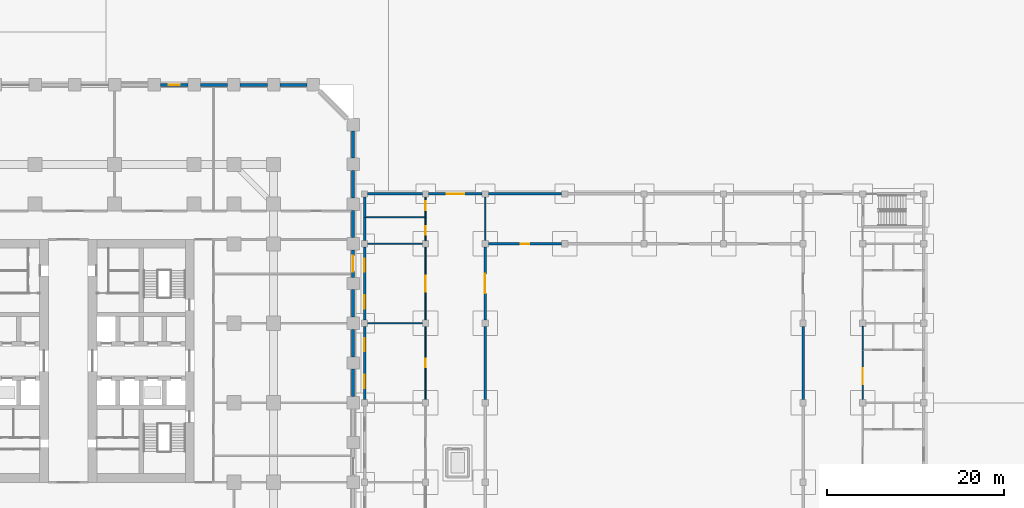
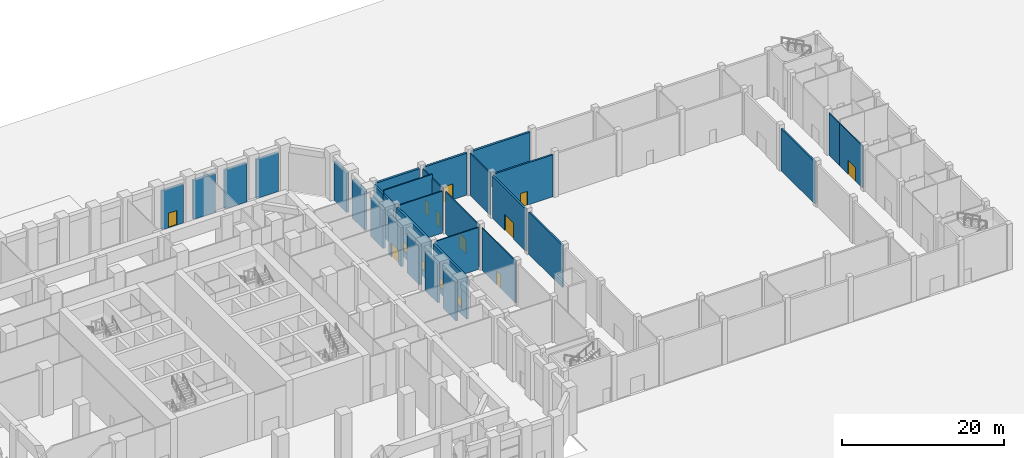
# One storey, part 16 of 30: 32 walls, 10 doors, 4 windows, 14 openings.
"""IFC4 building model written with IfcOpenShell, lengths in metres."""

from ifc_helpers import new_model, si_unit, direction, frame, frame_2d, origin, place, context, subcontext, project, spatial, rectangle, extrude, material, layer, layer_set, type_object, element, fill, save


model = new_model("IFC4")

# Units and contexts
model_context = context("Model", 3, precision=1e-05, world=origin(), true_north=direction((0.0, 1.0)))
body_context = subcontext(model_context, "Body", "Model", "MODEL_VIEW")
ifc_project = project(units=[si_unit("LENGTHUNIT", "METRE"), si_unit("AREAUNIT", "SQUARE_METRE"), si_unit("VOLUMEUNIT", "CUBIC_METRE"), si_unit("PLANEANGLEUNIT", "RADIAN"), si_unit("MASSUNIT", "GRAM", prefix="KILO")], contexts=[model_context])

# Site, building, storey
site_placement = place(None, origin())
site = spatial("IfcSite", under=ifc_project, at=site_placement, CompositionType="ELEMENT")
building_placement = place(site_placement, origin())
building = spatial("IfcBuilding", under=site, at=building_placement, Name="Corbel Stack Research Tower", CompositionType="ELEMENT")
storey_placement = place(building_placement, origin())
storey = spatial("IfcBuildingStorey", under=building, at=storey_placement, Name="L00", CompositionType="ELEMENT", Elevation=0.0)

# Walls
ifc_material_1 = material(Name="Concrete C45/55", Category="concrete")
ifc_layer_1 = layer(ifc_material_1, 0.35009765625)
ifc_layer_set_1 = layer_set([ifc_layer_1], Name="Concrete C45/55")
wall_type_1 = type_object("IfcWallType", Name="Board-marked concrete wall 350", PredefinedType="SOLIDWALL", material=ifc_layer_set_1)
for number, where, z_axis, x_axis, name in (
    (1, (36.0, 3.800048828125, 0.0), (0.0, 0.0, 1.0), (0.0, -1.0, 0.0), "Facade wall L00 E07"),
    (2, (36.0, 8.300048828125, 0.0), (0.0, 0.0, 1.0), (0.0, -1.0, 0.0), "Facade wall L00 E08"),
    (3, (36.0, 12.800048828125, 0.0), (0.0, 0.0, 1.0), (0.0, -1.0, 0.0), "Facade wall L00 E09"),
):
    element("IfcWall", number, at=place(storey_placement, frame(where, z_axis=z_axis, x_axis=x_axis)), inside=storey, type_object=wall_type_1, Name=name, PredefinedType="SOLIDWALL", context=body_context, shape_type="SweptSolid", body=[
        extrude(rectangle(XDim=3.10009765625, YDim=0.35009765625, at=frame_2d((1.550048828125, 0.0))), origin(), (0.0, 0.0, 1.0), 5.85009765625),
    ])

# Wall, opening, door
wall_1_placement = place(storey_placement, frame((36.0, 17.300048828125, 0.0), z_axis=(0.0, 0.0, 1.0), x_axis=(0.0, -1.0, 0.0)))
wall_1 = element("IfcWall", 4, at=wall_1_placement, inside=storey, type_object=wall_type_1, Name="Facade wall L00 E10", PredefinedType="SOLIDWALL", context=body_context, shape_type="SweptSolid", body=[
    extrude(rectangle(XDim=3.10009765625, YDim=0.35009765625, at=frame_2d((1.550048828125, 0.0))), origin(), (0.0, 0.0, 1.0), 5.85009765625),
])
opening_1_placement = place(wall_1_placement, frame((0.64990234375, 0.0, 0.0)))
opening_1 = element("IfcOpeningElement", 5, at=opening_1_placement, cuts=wall_1, Name="Opening XD-4", PredefinedType="OPENING", context=body_context, shape_type="SweptSolid", body=[
    extrude(rectangle(XDim=1.800048828125, YDim=2.10009765625, at=frame_2d((0.89990234375, 1.050048828125))), frame((0.0, 0.18505859375, 0.0), z_axis=(0.0, -1.0, 0.0), x_axis=(1.0, 0.0, 0.0)), (0.0, 0.0, 1.0), 0.3701171875),
])
ifc_material_2 = material(Name="Painted steel door", Category="steel")
door_type_1 = type_object("IfcDoorType", Name="Exit door pair 1800 x 2100", OperationType="DOUBLE_DOOR_DOUBLE_SWING", PredefinedType="DOOR", material=ifc_material_2)
door_1_placement = place(opening_1_placement, origin())
door_1 = element("IfcDoor", 6, at=door_1_placement, inside=storey, type_object=door_type_1, Name="Exit passage ST-E2 exit door pair", OperationType="DOUBLE_DOOR_DOUBLE_SWING", OverallHeight=2.10009765625, OverallWidth=1.800048828125, PredefinedType="DOOR", context=body_context, shape_type="SweptSolid", body=[
    extrude(rectangle(XDim=1.800048828125, YDim=2.10009765625, at=frame_2d((0.89990234375, 1.050048828125))), frame((0.0, 0.02490234375, 0.0), z_axis=(0.0, -1.0, 0.0), x_axis=(1.0, 0.0, 0.0)), (0.0, 0.0, 1.0), 0.050048828125),
])
fill(opening_1, door_1)

# Walls
for number, where, z_axis, x_axis, name in (
    (7, (36.0, 21.800048828125, 0.0), (0.0, 0.0, 1.0), (0.0, -1.0, 0.0), "Facade wall L00 E11"),
    (8, (36.0, 26.300048828125, 0.0), (0.0, 0.0, 1.0), (0.0, -1.0, 0.0), "Facade wall L00 E12"),
    (9, (36.0, 30.800048828125, 0.0), (0.0, 0.0, 1.0), (0.0, -1.0, 0.0), "Facade wall L00 E13"),
    (10, (27.699951171875, 36.0, 0.0), (0.0, 0.0, 1.0), (1.0, 0.0, 0.0), "Facade wall L00 N01"),
    (11, (23.199951171875, 36.0, 0.0), (0.0, 0.0, 1.0), (1.0, 0.0, 0.0), "Facade wall L00 N02"),
    (12, (18.699951171875, 36.0, 0.0), (0.0, 0.0, 1.0), (1.0, 0.0, 0.0), "Facade wall L00 N03"),
):
    element("IfcWall", number, at=place(storey_placement, frame(where, z_axis=z_axis, x_axis=x_axis)), inside=storey, type_object=wall_type_1, Name=name, PredefinedType="SOLIDWALL", context=body_context, shape_type="SweptSolid", body=[
        extrude(rectangle(XDim=3.10009765625, YDim=0.35009765625, at=frame_2d((1.550048828125, 0.0))), origin(), (0.0, 0.0, 1.0), 5.85009765625),
    ])

# Wall, opening, door
wall_2_placement = place(storey_placement, frame((14.199951171875, 36.0, 0.0), z_axis=(0.0, 0.0, 1.0), x_axis=(1.0, 0.0, 0.0)))
wall_2 = element("IfcWall", 13, at=wall_2_placement, inside=storey, type_object=wall_type_1, Name="Facade wall L00 N04", PredefinedType="SOLIDWALL", context=body_context, shape_type="SweptSolid", body=[
    extrude(rectangle(XDim=3.10009765625, YDim=0.35009765625, at=frame_2d((1.550048828125, 0.0))), origin(), (0.0, 0.0, 1.0), 5.85009765625),
])
opening_2_placement = place(wall_2_placement, frame((0.949951171875, 0.0, 0.0)))
opening_2 = element("IfcOpeningElement", 14, at=opening_2_placement, cuts=wall_2, Name="Opening EX-4", PredefinedType="OPENING", context=body_context, shape_type="SweptSolid", body=[
    extrude(rectangle(XDim=1.199951171875, YDim=2.199951171875, at=frame_2d((0.60009765625, 1.10009765625))), frame((0.0, 0.18505859375, 0.0), z_axis=(0.0, -1.0, 0.0), x_axis=(1.0, 0.0, 0.0)), (0.0, 0.0, 1.0), 0.3701171875),
])
ifc_material_3 = material(Name="Steel door leaf, painted", Category="steel")
door_type_2 = type_object("IfcDoorType", Name="Exit door EX 1200 x 2200", OperationType="NOTDEFINED", PredefinedType="DOOR", material=ifc_material_3)
door_2_placement = place(opening_2_placement, origin())
door_2 = element("IfcDoor", 15, at=door_2_placement, inside=storey, type_object=door_type_2, Name="Exit door EX-4", OperationType="SINGLE_SWING_LEFT", OverallHeight=2.199951171875, OverallWidth=1.199951171875, PredefinedType="DOOR", context=body_context, shape_type="SweptSolid", body=[
    extrude(rectangle(XDim=1.199951171875, YDim=2.199951171875, at=frame_2d((0.60009765625, 1.10009765625))), frame((0.0, 0.02490234375, 0.0), z_axis=(0.0, -1.0, 0.0), x_axis=(1.0, 0.0, 0.0)), (0.0, 0.0, 1.0), 0.050048828125),
])
fill(opening_2, door_2)

# Wall
ifc_material_4 = material(Name="Concrete C40/50", Category="concrete")
ifc_layer_2 = layer(ifc_material_4, 0.300048828125)
ifc_layer_set_2 = layer_set([ifc_layer_2], Name="Concrete C40/50")
wall_type_2 = type_object("IfcWallType", Name="HW1 exterior wall 300", PredefinedType="SOLIDWALL", material=ifc_layer_set_2)
wall_3_placement = place(storey_placement, frame((37.64990234375, 23.64990234375, 0.0), z_axis=(0.0, 0.0, 1.0), x_axis=(1.0, 0.0, 0.0)))
element("IfcWall", 16, at=wall_3_placement, inside=storey, type_object=wall_type_2, Name="Exterior wall L00 h23.65/37.6", PredefinedType="SOLIDWALL", context=body_context, shape_type="SweptSolid", body=[
    extrude(rectangle(XDim=6.2001953125, YDim=0.300048828125, at=frame_2d((3.10009765625, 0.0))), origin(), (0.0, 0.0, 1.0), 6.35009765625),
])

# Wall, opening, door
wall_4_placement = place(storey_placement, frame((44.550048828125, 23.64990234375, 0.0), z_axis=(0.0, 0.0, 1.0), x_axis=(1.0, 0.0, 0.0)))
wall_4 = element("IfcWall", 17, at=wall_4_placement, inside=storey, type_object=wall_type_2, Name="Exterior wall L00 h23.65/44.6", PredefinedType="SOLIDWALL", context=body_context, shape_type="SweptSolid", body=[
    extrude(rectangle(XDim=6.050048828125, YDim=0.300048828125, at=frame_2d((3.02490234375, 0.0))), origin(), (0.0, 0.0, 1.0), 6.35009765625),
])
opening_3_placement = place(wall_4_placement, frame((2.02490234375, 0.0, 0.0)))
opening_3 = element("IfcOpeningElement", 18, at=opening_3_placement, cuts=wall_4, Name="Opening H0-20", PredefinedType="OPENING", context=body_context, shape_type="SweptSolid", body=[
    extrude(rectangle(XDim=2.0, YDim=2.39990234375, at=frame_2d((1.0, 1.199951171875))), frame((0.0, 0.159912109375, 0.0), z_axis=(0.0, -1.0, 0.0), x_axis=(1.0, 0.0, 0.0)), (0.0, 0.0, 1.0), 0.320068359375),
])
ifc_material_5 = material(Name="Glass and aluminium", Category="aluminium")
door_type_3 = type_object("IfcDoorType", Name="HD3 entrance door pair 2000 x 2400", OperationType="DOUBLE_DOOR_SINGLE_SWING", PredefinedType="DOOR", material=ifc_material_5)
door_3_placement = place(opening_3_placement, origin())
door_3 = element("IfcDoor", 19, at=door_3_placement, inside=storey, type_object=door_type_3, Name="Door H0-20", OperationType="DOUBLE_DOOR_SINGLE_SWING", OverallHeight=2.39990234375, OverallWidth=2.0, PredefinedType="DOOR", context=body_context, shape_type="SweptSolid", body=[
    extrude(rectangle(XDim=2.0, YDim=2.39990234375, at=frame_2d((1.0, 1.199951171875))), frame((0.0, 0.02490234375, 0.0), z_axis=(0.0, -1.0, 0.0), x_axis=(1.0, 0.0, 0.0)), (0.0, 0.0, 1.0), 0.050048828125),
])
fill(opening_3, door_3)

# Wall
wall_5_placement = place(storey_placement, frame((51.300048828125, 23.64990234375, 0.0), z_axis=(0.0, 0.0, 1.0), x_axis=(1.0, 0.0, 0.0)))
element("IfcWall", 20, at=wall_5_placement, inside=storey, type_object=wall_type_2, Name="Exterior wall L00 h23.65/51.3", PredefinedType="SOLIDWALL", context=body_context, shape_type="SweptSolid", body=[
    extrude(rectangle(XDim=8.300048828125, YDim=0.300048828125, at=frame_2d((4.14990234375, 0.0))), origin(), (0.0, 0.0, 1.0), 6.35009765625),
])

# Wall, openings, windows
wall_6_placement = place(storey_placement, frame((37.300048828125, 0.35009765625, 0.0), z_axis=(0.0, 0.0, 1.0), x_axis=(0.0, 1.0, 0.0)))
wall_6 = element("IfcWall", 21, at=wall_6_placement, inside=storey, type_object=wall_type_2, Name="Exterior wall L00 v37.30/0.3", PredefinedType="SOLIDWALL", context=body_context, shape_type="SweptSolid", body=[
    extrude(rectangle(XDim=8.2998046875, YDim=0.300048828125, at=frame_2d((4.14990234375, 0.0))), origin(), (0.0, 0.0, 1.0), 6.35009765625),
])
opening_4_placement = place(wall_6_placement, frame((1.324951171875, 0.0, 0.89990234375)))
opening_4 = element("IfcOpeningElement", 22, at=opening_4_placement, cuts=wall_6, Name="Opening HX1", PredefinedType="OPENING", context=body_context, shape_type="SweptSolid", body=[
    extrude(rectangle(XDim=1.5, YDim=1.39990234375, at=frame_2d((0.75, 0.699951171875))), frame((0.0, 0.159912109375, 0.0), z_axis=(0.0, -1.0, 0.0), x_axis=(1.0, 0.0, 0.0)), (0.0, 0.0, 1.0), 0.320068359375),
])
opening_5_placement = place(wall_6_placement, frame((5.47509765625, 0.0, 0.89990234375)))
opening_5 = element("IfcOpeningElement", 23, at=opening_5_placement, cuts=wall_6, Name="Opening HX1", PredefinedType="OPENING", context=body_context, shape_type="SweptSolid", body=[
    extrude(rectangle(XDim=1.5, YDim=1.39990234375, at=frame_2d((0.75, 0.699951171875))), frame((0.0, 0.159912109375, 0.0), z_axis=(0.0, -1.0, 0.0), x_axis=(1.0, 0.0, 0.0)), (0.0, 0.0, 1.0), 0.320068359375),
])
ifc_material_6 = material(Name="Glass and aluminium", Category="aluminium")
window_type = type_object("IfcWindowType", Name="HW6 window 1500 x 1400", PartitioningType="SINGLE_PANEL", PredefinedType="WINDOW", material=ifc_material_6)
window_1_placement = place(opening_4_placement, origin())
window_1 = element("IfcWindow", 24, at=window_1_placement, inside=storey, type_object=window_type, Name="Window L00 First aid room", OverallHeight=1.39990234375, OverallWidth=1.5, PartitioningType="SINGLE_PANEL", PredefinedType="WINDOW", context=body_context, shape_type="SweptSolid", body=[
    extrude(rectangle(XDim=1.5, YDim=1.39990234375, at=frame_2d((0.75, 0.699951171875))), frame((0.0, 0.030029296875, 0.0), z_axis=(0.0, -1.0, 0.0), x_axis=(1.0, 0.0, 0.0)), (0.0, 0.0, 1.0), 0.06005859375),
])
fill(opening_4, window_1)
window_2_placement = place(opening_5_placement, origin())
window_2 = element("IfcWindow", 25, at=window_2_placement, inside=storey, type_object=window_type, Name="Window L00 First aid room", OverallHeight=1.39990234375, OverallWidth=1.5, PartitioningType="SINGLE_PANEL", PredefinedType="WINDOW", context=body_context, shape_type="SweptSolid", body=[
    extrude(rectangle(XDim=1.5, YDim=1.39990234375, at=frame_2d((0.75, 0.699951171875))), frame((0.0, 0.030029296875, 0.0), z_axis=(0.0, -1.0, 0.0), x_axis=(1.0, 0.0, 0.0)), (0.0, 0.0, 1.0), 0.06005859375),
])
fill(opening_5, window_2)

wall_7_placement = place(storey_placement, frame((37.300048828125, 9.35009765625, 0.0), z_axis=(0.0, 0.0, 1.0), x_axis=(0.0, 1.0, 0.0)))
wall_7 = element("IfcWall", 26, at=wall_7_placement, inside=storey, type_object=wall_type_2, Name="Exterior wall L00 v37.30/9.3", PredefinedType="SOLIDWALL", context=body_context, shape_type="SweptSolid", body=[
    extrude(rectangle(XDim=8.2998046875, YDim=0.300048828125, at=frame_2d((4.14990234375, 0.0))), origin(), (0.0, 0.0, 1.0), 6.35009765625),
])
opening_6_placement = place(wall_7_placement, frame((1.324951171875, 0.0, 0.89990234375)))
opening_6 = element("IfcOpeningElement", 27, at=opening_6_placement, cuts=wall_7, Name="Opening HX1", PredefinedType="OPENING", context=body_context, shape_type="SweptSolid", body=[
    extrude(rectangle(XDim=1.5, YDim=1.39990234375, at=frame_2d((0.75, 0.699951171875))), frame((0.0, 0.159912109375, 0.0), z_axis=(0.0, -1.0, 0.0), x_axis=(1.0, 0.0, 0.0)), (0.0, 0.0, 1.0), 0.320068359375),
])
opening_7_placement = place(wall_7_placement, frame((5.47509765625, 0.0, 0.89990234375)))
opening_7 = element("IfcOpeningElement", 28, at=opening_7_placement, cuts=wall_7, Name="Opening HX1", PredefinedType="OPENING", context=body_context, shape_type="SweptSolid", body=[
    extrude(rectangle(XDim=1.5, YDim=1.39990234375, at=frame_2d((0.75, 0.699951171875))), frame((0.0, 0.159912109375, 0.0), z_axis=(0.0, -1.0, 0.0), x_axis=(1.0, 0.0, 0.0)), (0.0, 0.0, 1.0), 0.320068359375),
])
window_3_placement = place(opening_6_placement, origin())
window_3 = element("IfcWindow", 29, at=window_3_placement, inside=storey, type_object=window_type, Name="Window L00 Cafe", OverallHeight=1.39990234375, OverallWidth=1.5, PartitioningType="SINGLE_PANEL", PredefinedType="WINDOW", context=body_context, shape_type="SweptSolid", body=[
    extrude(rectangle(XDim=1.5, YDim=1.39990234375, at=frame_2d((0.75, 0.699951171875))), frame((0.0, 0.030029296875, 0.0), z_axis=(0.0, -1.0, 0.0), x_axis=(1.0, 0.0, 0.0)), (0.0, 0.0, 1.0), 0.06005859375),
])
fill(opening_6, window_3)
window_4_placement = place(opening_7_placement, origin())
window_4 = element("IfcWindow", 30, at=window_4_placement, inside=storey, type_object=window_type, Name="Window L00 Cafe", OverallHeight=1.39990234375, OverallWidth=1.5, PartitioningType="SINGLE_PANEL", PredefinedType="WINDOW", context=body_context, shape_type="SweptSolid", body=[
    extrude(rectangle(XDim=1.5, YDim=1.39990234375, at=frame_2d((0.75, 0.699951171875))), frame((0.0, 0.030029296875, 0.0), z_axis=(0.0, -1.0, 0.0), x_axis=(1.0, 0.0, 0.0)), (0.0, 0.0, 1.0), 0.06005859375),
])
fill(opening_7, window_4)

# Walls
wall_8_placement = place(storey_placement, frame((37.300048828125, 18.35009765625, 0.0), z_axis=(0.0, 0.0, 1.0), x_axis=(0.0, 1.0, 0.0)))
element("IfcWall", 31, at=wall_8_placement, inside=storey, type_object=wall_type_2, Name="Exterior wall L00 v37.30/18.4", PredefinedType="SOLIDWALL", context=body_context, shape_type="SweptSolid", body=[
    extrude(rectangle(XDim=2.64990234375, YDim=0.300048828125, at=frame_2d((1.324951171875, 0.0))), origin(), (0.0, 0.0, 1.0), 6.35009765625),
])
wall_9_placement = place(storey_placement, frame((37.300048828125, 21.0, 0.0), z_axis=(0.0, 0.0, 1.0), x_axis=(0.0, 1.0, 0.0)))
element("IfcWall", 32, at=wall_9_placement, inside=storey, type_object=wall_type_2, Name="Exterior wall L00 v37.30/21.0", PredefinedType="SOLIDWALL", context=body_context, shape_type="SweptSolid", body=[
    extrude(rectangle(XDim=2.300048828125, YDim=0.300048828125, at=frame_2d((1.14990234375, 0.0))), origin(), (0.0, 0.0, 1.0), 6.35009765625),
])
ifc_material_7 = material(Name="Concrete masonry unit", Category="masonry")
ifc_layer_3 = layer(ifc_material_7, 0.14990234375)
ifc_layer_set_3 = layer_set([ifc_layer_3], Name="Concrete masonry unit")
wall_type_3 = type_object("IfcWallType", Name="HW3 partition 150", PredefinedType="PARTITIONING", material=ifc_layer_set_3)
for number, where, z_axis, x_axis, name in (
    (33, (37.64990234375, 9.0, 0.0), (0.0, 0.0, 1.0), (1.0, 0.0, 0.0), "Wall L00 h9.00/37.6"),
    (34, (37.64990234375, 18.0, 0.0), (0.0, 0.0, 1.0), (1.0, 0.0, 0.0), "Wall L00 h18.00/37.6"),
):
    element("IfcWall", number, at=place(storey_placement, frame(where, z_axis=z_axis, x_axis=x_axis)), inside=storey, type_object=wall_type_3, Name=name, PredefinedType="PARTITIONING", context=body_context, shape_type="SweptSolid", body=[
        extrude(rectangle(XDim=6.2001953125, YDim=0.14990234375, at=frame_2d((3.10009765625, 0.0))), origin(), (0.0, 0.0, 1.0), 6.35009765625),
    ])
wall_10_placement = place(storey_placement, frame((37.300048828125, 21.0, 0.0), z_axis=(0.0, 0.0, 1.0), x_axis=(1.0, 0.0, 0.0)))
element("IfcWall", 35, at=wall_10_placement, inside=storey, type_object=wall_type_3, Name="Wall L00 h21.00/37.3", PredefinedType="PARTITIONING", context=body_context, shape_type="SweptSolid", body=[
    extrude(rectangle(XDim=6.89990234375, YDim=0.14990234375, at=frame_2d((3.449951171875, 0.0))), origin(), (0.0, 0.0, 1.0), 6.949951171875),
])

# Wall, opening, door
wall_11_placement = place(storey_placement, frame((44.199951171875, 0.35009765625, 0.0), z_axis=(0.0, 0.0, 1.0), x_axis=(0.0, 1.0, 0.0)))
wall_11 = element("IfcWall", 36, at=wall_11_placement, inside=storey, type_object=wall_type_3, Name="Wall L00 v44.20/0.3", PredefinedType="PARTITIONING", context=body_context, shape_type="SweptSolid", body=[
    extrude(rectangle(XDim=8.2998046875, YDim=0.14990234375, at=frame_2d((4.14990234375, 0.0))), origin(), (0.0, 0.0, 1.0), 6.35009765625),
])
opening_8_placement = place(wall_11_placement, frame((3.64990234375, 0.0, 0.0)))
opening_8 = element("IfcOpeningElement", 37, at=opening_8_placement, cuts=wall_11, Name="Opening H0-27", PredefinedType="OPENING", context=body_context, shape_type="SweptSolid", body=[
    extrude(rectangle(XDim=1.0, YDim=2.10009765625, at=frame_2d((0.5, 1.050048828125))), frame((0.0, 0.0849609375, 0.0), z_axis=(0.0, -1.0, 0.0), x_axis=(1.0, 0.0, 0.0)), (0.0, 0.0, 1.0), 0.169921875),
])
ifc_material_8 = material(Name="Timber", Category="wood")
door_type_4 = type_object("IfcDoorType", Name="HD1 single door 1000 x 2100", OperationType="NOTDEFINED", PredefinedType="DOOR", material=ifc_material_8)
door_4_placement = place(opening_8_placement, origin())
door_4 = element("IfcDoor", 38, at=door_4_placement, inside=storey, type_object=door_type_4, Name="Door H0-27", OperationType="SINGLE_SWING_RIGHT", OverallHeight=2.10009765625, OverallWidth=1.0, PredefinedType="DOOR", context=body_context, shape_type="SweptSolid", body=[
    extrude(rectangle(XDim=1.0, YDim=2.10009765625, at=frame_2d((0.5, 1.050048828125))), frame((0.0, 0.02490234375, 0.0), z_axis=(0.0, -1.0, 0.0), x_axis=(1.0, 0.0, 0.0)), (0.0, 0.0, 1.0), 0.050048828125),
])
fill(opening_8, door_4)

wall_12_placement = place(storey_placement, frame((44.199951171875, 17.64990234375, 0.0), z_axis=(0.0, 0.0, 1.0), x_axis=(0.0, -1.0, 0.0)))
wall_12 = element("IfcWall", 39, at=wall_12_placement, inside=storey, type_object=wall_type_3, Name="Wall L00 v44.20/9.3", PredefinedType="PARTITIONING", context=body_context, shape_type="SweptSolid", body=[
    extrude(rectangle(XDim=8.2998046875, YDim=0.14990234375, at=frame_2d((4.14990234375, 0.0))), origin(), (0.0, 0.0, 1.0), 6.35009765625),
])
opening_9_placement = place(wall_12_placement, frame((3.25, 0.0, 0.0)))
opening_9 = element("IfcOpeningElement", 40, at=opening_9_placement, cuts=wall_12, Name="Opening H0-28", PredefinedType="OPENING", context=body_context, shape_type="SweptSolid", body=[
    extrude(rectangle(XDim=1.800048828125, YDim=2.10009765625, at=frame_2d((0.89990234375, 1.050048828125))), frame((0.0, 0.0849609375, 0.0), z_axis=(0.0, -1.0, 0.0), x_axis=(1.0, 0.0, 0.0)), (0.0, 0.0, 1.0), 0.169921875),
])
ifc_material_9 = material(Name="Timber", Category="wood")
door_type_5 = type_object("IfcDoorType", Name="HD2 double door 1800 x 2100", OperationType="DOUBLE_DOOR_SINGLE_SWING", PredefinedType="DOOR", material=ifc_material_9)
door_5_placement = place(opening_9_placement, origin())
door_5 = element("IfcDoor", 41, at=door_5_placement, inside=storey, type_object=door_type_5, Name="Door H0-28", OperationType="DOUBLE_DOOR_SINGLE_SWING", OverallHeight=2.10009765625, OverallWidth=1.800048828125, PredefinedType="DOOR", context=body_context, shape_type="SweptSolid", body=[
    extrude(rectangle(XDim=1.800048828125, YDim=2.10009765625, at=frame_2d((0.89990234375, 1.050048828125))), frame((0.0, 0.02490234375, 0.0), z_axis=(0.0, -1.0, 0.0), x_axis=(1.0, 0.0, 0.0)), (0.0, 0.0, 1.0), 0.050048828125),
])
fill(opening_9, door_5)

wall_13_placement = place(storey_placement, frame((44.199951171875, 18.35009765625, 0.0), z_axis=(0.0, 0.0, 1.0), x_axis=(0.0, 1.0, 0.0)))
wall_13 = element("IfcWall", 42, at=wall_13_placement, inside=storey, type_object=wall_type_3, Name="Wall L00 v44.20/18.4", PredefinedType="PARTITIONING", context=body_context, shape_type="SweptSolid", body=[
    extrude(rectangle(XDim=2.64990234375, YDim=0.14990234375, at=frame_2d((1.324951171875, 0.0))), origin(), (0.0, 0.0, 1.0), 6.35009765625),
])
opening_10_placement = place(wall_13_placement, frame((0.64990234375, 0.0, 0.0)))
opening_10 = element("IfcOpeningElement", 43, at=opening_10_placement, cuts=wall_13, Name="Opening H0-29", PredefinedType="OPENING", context=body_context, shape_type="SweptSolid", body=[
    extrude(rectangle(XDim=1.0, YDim=2.10009765625, at=frame_2d((0.5, 1.050048828125))), frame((0.0, 0.0849609375, 0.0), z_axis=(0.0, -1.0, 0.0), x_axis=(1.0, 0.0, 0.0)), (0.0, 0.0, 1.0), 0.169921875),
])
door_6_placement = place(opening_10_placement, origin())
door_6 = element("IfcDoor", 44, at=door_6_placement, inside=storey, type_object=door_type_4, Name="Door H0-29", OperationType="SINGLE_SWING_RIGHT", OverallHeight=2.10009765625, OverallWidth=1.0, PredefinedType="DOOR", context=body_context, shape_type="SweptSolid", body=[
    extrude(rectangle(XDim=1.0, YDim=2.10009765625, at=frame_2d((0.5, 1.050048828125))), frame((0.0, 0.02490234375, 0.0), z_axis=(0.0, -1.0, 0.0), x_axis=(1.0, 0.0, 0.0)), (0.0, 0.0, 1.0), 0.050048828125),
])
fill(opening_10, door_6)

wall_14_placement = place(storey_placement, frame((44.199951171875, 21.0, 0.0), z_axis=(0.0, 0.0, 1.0), x_axis=(0.0, 1.0, 0.0)))
wall_14 = element("IfcWall", 45, at=wall_14_placement, inside=storey, type_object=wall_type_3, Name="Wall L00 v44.20/21.0", PredefinedType="PARTITIONING", context=body_context, shape_type="SweptSolid", body=[
    extrude(rectangle(XDim=2.300048828125, YDim=0.14990234375, at=frame_2d((1.14990234375, 0.0))), origin(), (0.0, 0.0, 1.0), 6.35009765625),
])
opening_11_placement = place(wall_14_placement, frame((0.800048828125, 0.0, 0.0)))
opening_11 = element("IfcOpeningElement", 46, at=opening_11_placement, cuts=wall_14, Name="Opening H0-30", PredefinedType="OPENING", context=body_context, shape_type="SweptSolid", body=[
    extrude(rectangle(XDim=1.0, YDim=2.10009765625, at=frame_2d((0.5, 1.050048828125))), frame((0.0, 0.0849609375, 0.0), z_axis=(0.0, -1.0, 0.0), x_axis=(1.0, 0.0, 0.0)), (0.0, 0.0, 1.0), 0.169921875),
])
door_7_placement = place(opening_11_placement, origin())
door_7 = element("IfcDoor", 47, at=door_7_placement, inside=storey, type_object=door_type_4, Name="Door H0-30", OperationType="SINGLE_SWING_LEFT", OverallHeight=2.10009765625, OverallWidth=1.0, PredefinedType="DOOR", context=body_context, shape_type="SweptSolid", body=[
    extrude(rectangle(XDim=1.0, YDim=2.10009765625, at=frame_2d((0.5, 1.050048828125))), frame((0.0, 0.02490234375, 0.0), z_axis=(0.0, -1.0, 0.0), x_axis=(1.0, 0.0, 0.0)), (0.0, 0.0, 1.0), 0.050048828125),
])
fill(opening_11, door_7)

# Wall
wall_15_placement = place(storey_placement, frame((50.949951171875, 18.35009765625, 0.0), z_axis=(0.0, 0.0, 1.0), x_axis=(0.0, 1.0, 0.0)))
element("IfcWall", 48, at=wall_15_placement, inside=storey, type_object=wall_type_3, Name="Wall L00 v50.95/18.4", PredefinedType="PARTITIONING", context=body_context, shape_type="SweptSolid", body=[
    extrude(rectangle(XDim=4.949951171875, YDim=0.14990234375, at=frame_2d((2.47509765625, 0.0))), origin(), (0.0, 0.0, 1.0), 6.35009765625),
])

# Wall, opening, door
wall_16_placement = place(storey_placement, frame((93.699951171875, 0.35009765625, 0.0), z_axis=(0.0, 0.0, 1.0), x_axis=(0.0, 1.0, 0.0)))
wall_16 = element("IfcWall", 49, at=wall_16_placement, inside=storey, type_object=wall_type_3, Name="Wall L00 v93.70/0.3", PredefinedType="PARTITIONING", context=body_context, shape_type="SweptSolid", body=[
    extrude(rectangle(XDim=5.64990234375, YDim=0.14990234375, at=frame_2d((2.824951171875, 0.0))), origin(), (0.0, 0.0, 1.0), 6.35009765625),
])
opening_12_placement = place(wall_16_placement, frame((1.75, 0.0, 0.0)))
opening_12 = element("IfcOpeningElement", 50, at=opening_12_placement, cuts=wall_16, Name="Opening H0-39", PredefinedType="OPENING", context=body_context, shape_type="SweptSolid", body=[
    extrude(rectangle(XDim=1.800048828125, YDim=2.10009765625, at=frame_2d((0.89990234375, 1.050048828125))), frame((0.0, 0.0849609375, 0.0), z_axis=(0.0, -1.0, 0.0), x_axis=(1.0, 0.0, 0.0)), (0.0, 0.0, 1.0), 0.169921875),
])
door_8_placement = place(opening_12_placement, origin())
door_8 = element("IfcDoor", 51, at=door_8_placement, inside=storey, type_object=door_type_5, Name="Door H0-39", OperationType="DOUBLE_DOOR_SINGLE_SWING", OverallHeight=2.10009765625, OverallWidth=1.800048828125, PredefinedType="DOOR", context=body_context, shape_type="SweptSolid", body=[
    extrude(rectangle(XDim=1.800048828125, YDim=2.10009765625, at=frame_2d((0.89990234375, 1.050048828125))), frame((0.0, 0.02490234375, 0.0), z_axis=(0.0, -1.0, 0.0), x_axis=(1.0, 0.0, 0.0)), (0.0, 0.0, 1.0), 0.050048828125),
])
fill(opening_12, door_8)

# Wall
wall_17_placement = place(storey_placement, frame((93.699951171875, 6.0, 0.0), z_axis=(0.0, 0.0, 1.0), x_axis=(0.0, 1.0, 0.0)))
element("IfcWall", 52, at=wall_17_placement, inside=storey, type_object=wall_type_3, Name="Wall L00 v93.70/6.0", PredefinedType="PARTITIONING", context=body_context, shape_type="SweptSolid", body=[
    extrude(rectangle(XDim=2.64990234375, YDim=0.14990234375, at=frame_2d((1.324951171875, 0.0))), origin(), (0.0, 0.0, 1.0), 6.35009765625),
])

# Wall, opening, door
ifc_material_10 = material(Name="Concrete C40/50", Category="concrete")
ifc_layer_4 = layer(ifc_material_10, 0.25)
ifc_layer_set_4 = layer_set([ifc_layer_4], Name="Concrete C40/50")
wall_type_4 = type_object("IfcWallType", Name="HW4 court wall 250", PredefinedType="SOLIDWALL", material=ifc_layer_set_4)
wall_18_placement = place(storey_placement, frame((59.60009765625, 18.0, 0.0), z_axis=(0.0, 0.0, 1.0), x_axis=(-1.0, 0.0, 0.0)))
wall_18 = element("IfcWall", 53, at=wall_18_placement, inside=storey, type_object=wall_type_4, Name="Wall L00 h18.00/51.3", PredefinedType="SOLIDWALL", context=body_context, shape_type="SweptSolid", body=[
    extrude(rectangle(XDim=8.300048828125, YDim=0.25, at=frame_2d((4.14990234375, 0.0))), origin(), (0.0, 0.0, 1.0), 6.35009765625),
])
opening_13_placement = place(wall_18_placement, frame((3.64990234375, 0.0, 0.0)))
opening_13 = element("IfcOpeningElement", 54, at=opening_13_placement, cuts=wall_18, Name="Opening H0-17", PredefinedType="OPENING", context=body_context, shape_type="SweptSolid", body=[
    extrude(rectangle(XDim=1.0, YDim=2.10009765625, at=frame_2d((0.5, 1.050048828125))), frame((0.0, 0.135009765625, 0.0), z_axis=(0.0, -1.0, 0.0), x_axis=(1.0, 0.0, 0.0)), (0.0, 0.0, 1.0), 0.27001953125),
])
door_9_placement = place(opening_13_placement, origin())
door_9 = element("IfcDoor", 55, at=door_9_placement, inside=storey, type_object=door_type_4, Name="Door H0-17", OperationType="SINGLE_SWING_RIGHT", OverallHeight=2.10009765625, OverallWidth=1.0, PredefinedType="DOOR", context=body_context, shape_type="SweptSolid", body=[
    extrude(rectangle(XDim=1.0, YDim=2.10009765625, at=frame_2d((0.5, 1.050048828125))), frame((0.0, 0.02490234375, 0.0), z_axis=(0.0, -1.0, 0.0), x_axis=(1.0, 0.0, 0.0)), (0.0, 0.0, 1.0), 0.050048828125),
])
fill(opening_13, door_9)

# Wall
wall_19_placement = place(storey_placement, frame((50.949951171875, 0.35009765625, 0.0), z_axis=(0.0, 0.0, 1.0), x_axis=(0.0, 1.0, 0.0)))
element("IfcWall", 56, at=wall_19_placement, inside=storey, type_object=wall_type_4, Name="Wall L00 v50.95/0.3", PredefinedType="SOLIDWALL", context=body_context, shape_type="SweptSolid", body=[
    extrude(rectangle(XDim=8.2998046875, YDim=0.25, at=frame_2d((4.14990234375, 0.0))), origin(), (0.0, 0.0, 1.0), 6.35009765625),
])

# Wall, opening, door
wall_20_placement = place(storey_placement, frame((50.949951171875, 9.35009765625, 0.0), z_axis=(0.0, 0.0, 1.0), x_axis=(0.0, 1.0, 0.0)))
wall_20 = element("IfcWall", 57, at=wall_20_placement, inside=storey, type_object=wall_type_4, Name="Wall L00 v50.95/9.3", PredefinedType="SOLIDWALL", context=body_context, shape_type="SweptSolid", body=[
    extrude(rectangle(XDim=8.2998046875, YDim=0.25, at=frame_2d((4.14990234375, 0.0))), origin(), (0.0, 0.0, 1.0), 6.35009765625),
])
opening_14_placement = place(wall_20_placement, frame((3.050048828125, 0.0, 0.0)))
opening_14 = element("IfcOpeningElement", 58, at=opening_14_placement, cuts=wall_20, Name="Opening H0-32", PredefinedType="OPENING", context=body_context, shape_type="SweptSolid", body=[
    extrude(rectangle(XDim=2.199951171875, YDim=2.39990234375, at=frame_2d((1.10009765625, 1.199951171875))), frame((0.0, 0.135009765625, 0.0), z_axis=(0.0, -1.0, 0.0), x_axis=(1.0, 0.0, 0.0)), (0.0, 0.0, 1.0), 0.27001953125),
])
ifc_material_11 = material(Name="Timber", Category="wood")
door_type_6 = type_object("IfcDoorType", Name="HD8 court door pair 2200 x 2400", OperationType="DOUBLE_DOOR_SINGLE_SWING", PredefinedType="DOOR", material=ifc_material_11)
door_10_placement = place(opening_14_placement, origin())
door_10 = element("IfcDoor", 59, at=door_10_placement, inside=storey, type_object=door_type_6, Name="Door H0-32", OperationType="DOUBLE_DOOR_SINGLE_SWING", OverallHeight=2.39990234375, OverallWidth=2.199951171875, PredefinedType="DOOR", context=body_context, shape_type="SweptSolid", body=[
    extrude(rectangle(XDim=2.199951171875, YDim=2.39990234375, at=frame_2d((1.10009765625, 1.199951171875))), frame((0.0, 0.02490234375, 0.0), z_axis=(0.0, -1.0, 0.0), x_axis=(1.0, 0.0, 0.0)), (0.0, 0.0, 1.0), 0.050048828125),
])
fill(opening_14, door_10)

# Wall
wall_21_placement = place(storey_placement, frame((86.949951171875, 0.35009765625, 0.0), z_axis=(0.0, 0.0, 1.0), x_axis=(0.0, 1.0, 0.0)))
element("IfcWall", 60, at=wall_21_placement, inside=storey, type_object=wall_type_4, Name="Wall L00 v86.95/0.3", PredefinedType="SOLIDWALL", context=body_context, shape_type="SweptSolid", body=[
    extrude(rectangle(XDim=8.2998046875, YDim=0.25, at=frame_2d((4.14990234375, 0.0))), origin(), (0.0, 0.0, 1.0), 6.35009765625),
])

save(model, "model.ifc")
